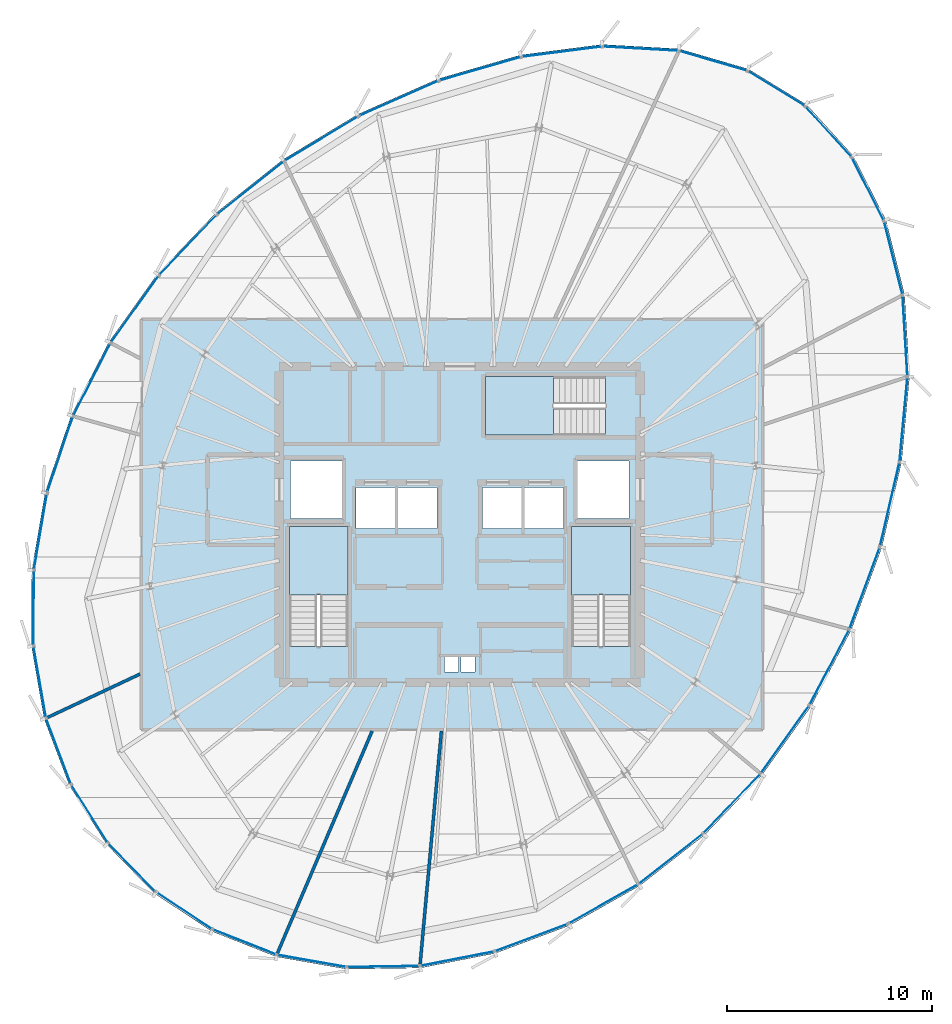
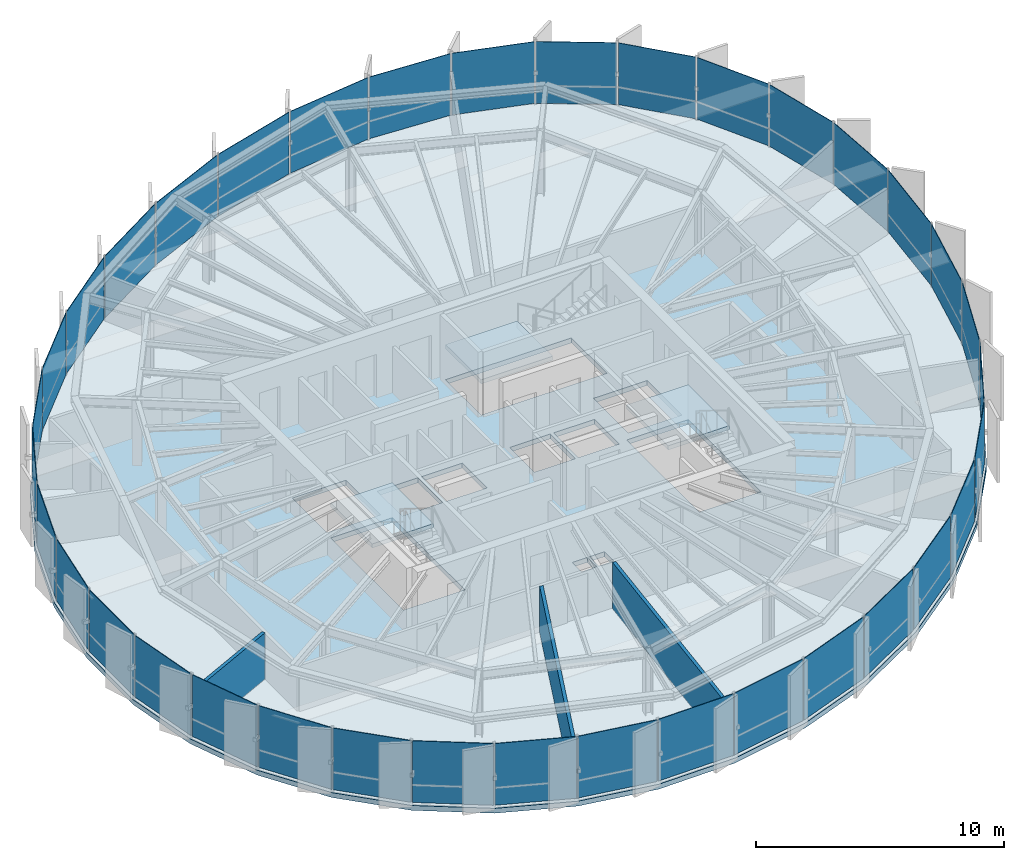
# One storey, part 26 of 33: 36 plates, 4 slabs, 3 walls, 9 elements without a shape of their own.
"""IFC4 building model written with IfcOpenShell, lengths in metres."""

from ifc_helpers import new_model, si_unit, direction, frame, frame_2d, origin, origin_2d, place, context, subcontext, project, spatial, polyline, rectangle, outline, extrude, source, transform, mapped, material, layer, layer_set, type_object, element, aggregate, save


model = new_model("IFC4")

# Units and contexts
model_context = context("Model", 3, precision=1e-05, world=origin(), true_north=direction((0.0, 1.0)))
body_context = subcontext(model_context, "Body", "Model", "MODEL_VIEW")
ifc_project = project(units=[si_unit("LENGTHUNIT", "METRE"), si_unit("AREAUNIT", "SQUARE_METRE"), si_unit("VOLUMEUNIT", "CUBIC_METRE"), si_unit("PLANEANGLEUNIT", "RADIAN"), si_unit("MASSUNIT", "GRAM", prefix="KILO"), si_unit("THERMODYNAMICTEMPERATUREUNIT", "KELVIN")], contexts=[model_context])

# Site, building, storey
site_placement = place(None, origin())
site = spatial("IfcSite", under=ifc_project, at=site_placement, CompositionType="ELEMENT")
building_placement = place(site_placement, origin())
building = spatial("IfcBuilding", under=site, at=building_placement, Name="Kethvar Cultural Tower", CompositionType="ELEMENT")
storey_placement = place(building_placement, frame((0.0, 0.0, 238.75)))
storey = spatial("IfcBuildingStorey", under=building, at=storey_placement, Name="L62", CompositionType="ELEMENT", Elevation=238.75)

# Stair, slab
ifc_material_1 = material(Name="Concrete C40/50", Category="concrete")
stair_type = type_object("IfcStairType", Name="ST-DOGLEG-135", PredefinedType="HALF_TURN_STAIR", material=ifc_material_1)
stair_1_placement = place(storey_placement, origin())
stair_1 = element("IfcStair", 1, at=stair_1_placement, inside=storey, type_object=stair_type, Name="L62 Core Exit Stair 1", PredefinedType="HALF_TURN_STAIR")
ifc_layer_1 = layer(ifc_material_1, 0.199951171875, Name="Concrete C40/50", Category="concrete")
ifc_layer_set_1 = layer_set([ifc_layer_1], Name="Concrete C40/50 (200 mm)")
slab_type_1 = type_object("IfcSlabType", Name="SL-STAIR-LANDING-200", PredefinedType="LANDING", material=ifc_layer_set_1)
slab_1_placement = place(storey_placement, frame((0.0, 0.0, 1.52490234375)))
slab_1 = element("IfcSlab", 2, at=slab_1_placement, type_object=slab_type_1, Name="ST-01 landing 1", PredefinedType="LANDING", context=body_context, shape_type="SweptSolid", body=[
    extrude(outline(polyline([(41.35009765625, 24.3701171875), (41.35009765625, 27.699951171875), (38.489990234375, 27.699951171875), (38.489990234375, 24.3701171875), (41.35009765625, 24.3701171875)])), origin(), (0.0, 0.0, 1.0), 0.2001953125),
])
aggregate(stair_1, [slab_1])

stair_2_placement = place(storey_placement, origin())
stair_2 = element("IfcStair", 3, at=stair_2_placement, inside=storey, type_object=stair_type, Name="L62 Core Exit Stair 2", PredefinedType="HALF_TURN_STAIR")
slab_2_placement = place(storey_placement, frame((0.0, 0.0, 1.52490234375)))
slab_2 = element("IfcSlab", 4, at=slab_2_placement, type_object=slab_type_1, Name="ST-02 landing 1", PredefinedType="LANDING", context=body_context, shape_type="SweptSolid", body=[
    extrude(outline(polyline([(55.110107421875, 24.3701171875), (55.110107421875, 27.699951171875), (52.25, 27.699951171875), (52.25, 24.3701171875), (55.110107421875, 24.3701171875)])), origin(), (0.0, 0.0, 1.0), 0.2001953125),
])
aggregate(stair_2, [slab_2])

stair_3_placement = place(storey_placement, origin())
stair_3 = element("IfcStair", 5, at=stair_3_placement, inside=storey, type_object=stair_type, Name="L62 Core Exit Stair 3", PredefinedType="HALF_TURN_STAIR")
slab_3_placement = place(storey_placement, frame((0.0, 0.0, 1.52490234375)))
slab_3 = element("IfcSlab", 6, at=slab_3_placement, type_object=slab_type_1, Name="ST-03 landing 1", PredefinedType="LANDING", context=body_context, shape_type="SweptSolid", body=[
    extrude(outline(polyline([(51.3798828125, 35.010009765625), (48.050048828125, 35.010009765625), (48.050048828125, 32.14990234375), (51.3798828125, 32.14990234375), (51.3798828125, 35.010009765625)])), origin(), (0.0, 0.0, 1.0), 0.2001953125),
])
aggregate(stair_3, [slab_3])

# Slab
ifc_layer_2 = layer(ifc_material_1, 0.239990234375, Name="Concrete C40/50", Category="concrete")
ifc_layer_set_2 = layer_set([ifc_layer_2], Name="Concrete C40/50 (240 mm)")
slab_type_2 = type_object("IfcSlabType", Name="SL-TOW-240", PredefinedType="FLOOR", material=ifc_layer_set_2)
slab_4_placement = place(storey_placement, frame((0.0, 0.0, -0.239990234375)))
element("IfcSlab", 7, at=slab_4_placement, inside=storey, type_object=slab_type_2, Name="L62 Structural Floor Slab", PredefinedType="FLOOR", context=body_context, shape_type="SweptSolid", body=[
    extrude(outline(polyline([(63.718994140625, 48.251708984375), (60.856201171875, 50.00390625), (57.485107421875, 50.983642578125), (53.7373046875, 51.196044921875), (49.768310546875, 50.68505859375), (45.7451171875, 49.52197265625), (41.831298828125, 47.79248046875), (38.17333984375, 45.582275390625), (34.888916015625, 42.966552734375), (32.055419921875, 39.997802734375), (29.69580078125, 36.689208984375), (27.855712890625, 33.110595703125), (26.59130859375, 29.37060546875), (25.94091796875, 25.582763671875), (25.92431640625, 21.8623046875), (26.5419921875, 18.322509765625), (27.775146484375, 15.070556640625), (29.58642578125, 12.205322265625), (31.920654296875, 9.81396484375), (34.70703125, 7.968994140625), (37.86083984375, 6.726806640625), (41.286376953125, 6.124755859375), (44.87939453125, 6.181396484375), (48.53076171875, 6.89501953125), (52.12939453125, 8.243408203125), (55.566162109375, 10.186279296875), (58.73681640625, 12.664306640625), (61.54443359375, 15.602294921875), (63.929931640625, 18.94189453125), (65.8837890625, 22.658203125), (67.369384765625, 26.665283203125), (68.334716796875, 30.833984375), (68.723388671875, 35.00390625), (68.481689453125, 38.998291015625), (67.57080078125, 42.639892578125), (65.976806640625, 45.767578125), (63.718994140625, 48.251708984375)]), holes=[polyline([(38.489990234375, 21.85009765625), (38.489990234375, 27.699951171875), (41.35009765625, 27.699951171875), (41.35009765625, 21.85009765625), (38.489990234375, 21.85009765625)]), polyline([(52.25, 21.85009765625), (52.25, 27.699951171875), (55.110107421875, 27.699951171875), (55.110107421875, 21.85009765625), (52.25, 21.85009765625)]), polyline([(53.89990234375, 32.14990234375), (48.050048828125, 32.14990234375), (48.050048828125, 35.010009765625), (53.89990234375, 35.010009765625), (53.89990234375, 32.14990234375)]), polyline([(41.75, 29.60009765625), (43.64990234375, 29.60009765625), (43.64990234375, 27.60009765625), (41.75, 27.60009765625), (41.75, 29.60009765625)]), polyline([(43.800048828125, 29.60009765625), (45.699951171875, 29.60009765625), (45.699951171875, 27.60009765625), (43.800048828125, 27.60009765625), (43.800048828125, 29.60009765625)]), polyline([(47.89990234375, 29.60009765625), (49.800048828125, 29.60009765625), (49.800048828125, 27.60009765625), (47.89990234375, 27.60009765625), (47.89990234375, 29.60009765625)]), polyline([(49.949951171875, 29.60009765625), (51.85009765625, 29.60009765625), (51.85009765625, 27.60009765625), (49.949951171875, 27.60009765625), (49.949951171875, 29.60009765625)]), polyline([(38.550048828125, 30.89990234375), (41.050048828125, 30.89990234375), (41.050048828125, 28.10009765625), (38.550048828125, 28.10009765625), (38.550048828125, 30.89990234375)]), polyline([(52.550048828125, 30.89990234375), (55.050048828125, 30.89990234375), (55.050048828125, 28.10009765625), (52.550048828125, 28.10009765625), (52.550048828125, 30.89990234375)]), polyline([(46.050048828125, 21.35009765625), (46.75, 21.35009765625), (46.75, 20.60009765625), (46.050048828125, 20.60009765625), (46.050048828125, 21.35009765625)]), polyline([(46.85009765625, 21.35009765625), (47.550048828125, 21.35009765625), (47.550048828125, 20.60009765625), (46.85009765625, 20.60009765625), (46.85009765625, 21.35009765625)])]), origin(), (0.0, 0.0, 1.0), 0.239990234375),
])

# Curtain wall, plates
ifc_material_2 = material(Name="Aluminium 6063-T6", Category="aluminium")
ifc_layer_3 = layer(ifc_material_2, 0.179931640625, Name="Aluminium 6063-T6", Category="aluminium")
ifc_layer_set_3 = layer_set([ifc_layer_3], Name="Aluminium 6063-T6 (180 mm)")
curtain_wall_type = type_object("IfcCurtainWallType", Name="CW-SYS-05-Z56", PredefinedType="NOTDEFINED", material=ifc_layer_set_3)
curtain_wall_1_placement = place(storey_placement, origin())
curtain_wall_1 = element("IfcCurtainWall", 8, at=curtain_wall_1_placement, inside=storey, type_object=curtain_wall_type, Name="L62 Curtain Wall Run 01", PredefinedType="NOTDEFINED")
ifc_material_3 = material(Name="Insulated Low-E Solar Glass", Category="glass")
ifc_layer_4 = layer(ifc_material_3, 0.028076171875, Name="Insulated Low-E Solar Glass", Category="glass")
ifc_layer_set_4 = layer_set([ifc_layer_4], Name="Insulated Low-E Solar Glass (28 mm)")
plate_type = type_object("IfcPlateType", Name="CW-SYS-05-Z56-PNL", PredefinedType="CURTAIN_PANEL", material=ifc_layer_set_4)
shared_shape_1 = source(origin(), body_context, "Body", "SweptSolid", [
    extrude(rectangle(XDim=3.27734375, YDim=0.028076171875, at=origin_2d()), origin(), (0.0, 0.0, 1.0), 3.030029296875),
])
plate_1_placement = place(storey_placement, frame((62.2353515625, 49.04248046875, 0.08984375), z_axis=(0.0, 0.0, 1.0), x_axis=(-0.85292273847, 0.522037165537, 0.0)))
plate_1 = element("IfcPlate", 9, at=plate_1_placement, type_object=plate_type, Name="CW-L62-R01 Vision Glazing Panel 1", PredefinedType="CURTAIN_PANEL", context=body_context, shape_type="MappedRepresentation", body=[
    mapped(shared_shape_1, transform((0.0, 0.0, 0.0), scale=1.0)),
])
shared_shape_2 = source(origin(), body_context, "Body", "SweptSolid", [
    extrude(rectangle(XDim=3.431396484375, YDim=0.028076171875, at=origin_2d()), origin(), (0.0, 0.0, 1.0), 3.030029296875),
])
plate_2_placement = place(storey_placement, frame((59.142578125, 50.397705078125, 0.08984375), z_axis=(0.0, 0.0, 1.0), x_axis=(-0.960259593317, 0.279108425963, 0.0)))
plate_2 = element("IfcPlate", 10, at=plate_2_placement, type_object=plate_type, Name="CW-L62-R01 Vision Glazing Panel 2", PredefinedType="CURTAIN_PANEL", context=body_context, shape_type="MappedRepresentation", body=[
    mapped(shared_shape_2, transform((0.0, 0.0, 0.0), scale=1.0)),
])

# Curtain wall, plate
curtain_wall_2_placement = place(storey_placement, origin())
curtain_wall_2 = element("IfcCurtainWall", 11, at=curtain_wall_2_placement, inside=storey, type_object=curtain_wall_type, Name="L62 Curtain Wall Run 06", PredefinedType="NOTDEFINED")
plate_3_placement = place(storey_placement, frame((66.684814453125, 44.158447265625, 0.08984375), z_axis=(0.0, 0.0, 1.0), x_axis=(-0.454099353334, 0.890951052136, 0.0)))
plate_3 = element("IfcPlate", 12, at=plate_3_placement, type_object=plate_type, Name="CW-L62-R06 Vision Glazing Panel 5", PredefinedType="CURTAIN_PANEL", context=body_context, shape_type="MappedRepresentation", body=[
    mapped(shared_shape_2, transform((0.0, 0.0, 0.0), scale=1.0)),
])

# Plate
shared_shape_3 = source(origin(), body_context, "Body", "SweptSolid", [
    extrude(rectangle(XDim=3.674560546875, YDim=0.028076171875, at=origin_2d()), origin(), (0.0, 0.0, 1.0), 3.030029296875),
])
plate_4_placement = place(storey_placement, frame((55.605712890625, 50.989990234375, 0.08984375), z_axis=(0.0, 0.0, 1.0), x_axis=(-0.998397601938, 0.056588235921, 0.0)))
plate_4 = element("IfcPlate", 13, at=plate_4_placement, type_object=plate_type, Name="CW-L62-R01 Vision Glazing Panel 3", PredefinedType="CURTAIN_PANEL", context=body_context, shape_type="MappedRepresentation", body=[
    mapped(shared_shape_3, transform((0.0, 0.0, 0.0), scale=1.0)),
])

plate_5_placement = place(storey_placement, frame((67.92919921875, 40.794921875, 0.08984375), z_axis=(0.0, 0.0, 1.0), x_axis=(-0.242666957817, 0.970109657505, 0.0)))
plate_5 = element("IfcPlate", 14, at=plate_5_placement, type_object=plate_type, Name="CW-L62-R06 Vision Glazing Panel 4", PredefinedType="CURTAIN_PANEL", context=body_context, shape_type="MappedRepresentation", body=[
    mapped(shared_shape_3, transform((0.0, 0.0, 0.0), scale=1.0)),
])

shared_shape_4 = source(origin(), body_context, "Body", "SweptSolid", [
    extrude(rectangle(XDim=3.922607421875, YDim=0.028076171875, at=origin_2d()), origin(), (0.0, 0.0, 1.0), 3.030029296875),
])
plate_6_placement = place(storey_placement, frame((51.765625, 50.84130859375, 0.08984375), z_axis=(0.0, 0.0, 1.0), x_axis=(-0.991809952005, -0.127722429914, 0.0)))
plate_6 = element("IfcPlate", 15, at=plate_6_placement, type_object=plate_type, Name="CW-L62-R01 Vision Glazing Panel 4", PredefinedType="CURTAIN_PANEL", context=body_context, shape_type="MappedRepresentation", body=[
    mapped(shared_shape_4, transform((0.0, 0.0, 0.0), scale=1.0)),
])

plate_7_placement = place(storey_placement, frame((68.502685546875, 36.9951171875, 0.08984375), z_axis=(0.0, 0.0, 1.0), x_axis=(-0.060369116639, 0.998176121612, 0.0)))
plate_7 = element("IfcPlate", 16, at=plate_7_placement, type_object=plate_type, Name="CW-L62-R06 Vision Glazing Panel 3", PredefinedType="CURTAIN_PANEL", context=body_context, shape_type="MappedRepresentation", body=[
    mapped(shared_shape_4, transform((0.0, 0.0, 0.0), scale=1.0)),
])

shared_shape_5 = source(origin(), body_context, "Body", "SweptSolid", [
    extrude(rectangle(XDim=4.10888671875, YDim=0.028076171875, at=origin_2d()), origin(), (0.0, 0.0, 1.0), 3.030029296875),
])
plate_8_placement = place(storey_placement, frame((47.784423828125, 50.00732421875, 0.08984375), z_axis=(0.0, 0.0, 1.0), x_axis=(-0.960662908582, -0.277717079193, 0.0)))
plate_8 = element("IfcPlate", 17, at=plate_8_placement, type_object=plate_type, Name="CW-L62-R01 Vision Glazing Panel 5", PredefinedType="CURTAIN_PANEL", context=body_context, shape_type="MappedRepresentation", body=[
    mapped(shared_shape_5, transform((0.0, 0.0, 0.0), scale=1.0)),
])

shared_shape_6 = source(origin(), body_context, "Body", "SweptSolid", [
    extrude(rectangle(XDim=4.19970703125, YDim=0.028076171875, at=origin_2d()), origin(), (0.0, 0.0, 1.0), 3.030029296875),
])
plate_9_placement = place(storey_placement, frame((43.82861328125, 48.565673828125, 0.08984375), z_axis=(0.0, 0.0, 1.0), x_axis=(-0.914670662658, -0.404199924384, 0.0)))
plate_9 = element("IfcPlate", 18, at=plate_9_placement, type_object=plate_type, Name="CW-L62-R01 Vision Glazing Panel 6", PredefinedType="CURTAIN_PANEL", context=body_context, shape_type="MappedRepresentation", body=[
    mapped(shared_shape_6, transform((0.0, 0.0, 0.0), scale=1.0)),
])

aggregate(curtain_wall_1, [plate_1, plate_2, plate_4, plate_6, plate_8, plate_9])

plate_10_placement = place(storey_placement, frame((67.754638671875, 28.772216796875, 0.08984375), z_axis=(0.0, 0.0, 1.0), x_axis=(0.2256312381, 0.974212781888, 0.0)))
plate_10 = element("IfcPlate", 19, at=plate_10_placement, type_object=plate_type, Name="CW-L62-R06 Vision Glazing Panel 1", PredefinedType="CURTAIN_PANEL", context=body_context, shape_type="MappedRepresentation", body=[
    mapped(shared_shape_6, transform((0.0, 0.0, 0.0), scale=1.0)),
])

# Curtain wall, plate
curtain_wall_3_placement = place(storey_placement, origin())
curtain_wall_3 = element("IfcCurtainWall", 20, at=curtain_wall_3_placement, inside=storey, type_object=curtain_wall_type, Name="L62 Curtain Wall Run 02", PredefinedType="NOTDEFINED")
shared_shape_7 = source(origin(), body_context, "Body", "SweptSolid", [
    extrude(rectangle(XDim=4.194580078125, YDim=0.028076171875, at=origin_2d()), origin(), (0.0, 0.0, 1.0), 3.030029296875),
])
plate_11_placement = place(storey_placement, frame((40.053955078125, 46.601806640625, 0.08984375), z_axis=(0.0, 0.0, 1.0), x_axis=(-0.855906267671, -0.517130990138, 0.0)))
plate_11 = element("IfcPlate", 21, at=plate_11_placement, type_object=plate_type, Name="CW-L62-R02 Vision Glazing Panel 1", PredefinedType="CURTAIN_PANEL", context=body_context, shape_type="MappedRepresentation", body=[
    mapped(shared_shape_7, transform((0.0, 0.0, 0.0), scale=1.0)),
])

curtain_wall_4_placement = place(storey_placement, origin())
curtain_wall_4 = element("IfcCurtainWall", 22, at=curtain_wall_4_placement, inside=storey, type_object=curtain_wall_type, Name="L62 Curtain Wall Run 05", PredefinedType="NOTDEFINED")
plate_12_placement = place(storey_placement, frame((66.53271484375, 24.696533203125, 0.08984375), z_axis=(0.0, 0.0, 1.0), x_axis=(0.347590336971, 0.937646499297, 0.0)))
plate_12 = element("IfcPlate", 23, at=plate_12_placement, type_object=plate_type, Name="CW-L62-R05 Vision Glazing Panel 6", PredefinedType="CURTAIN_PANEL", context=body_context, shape_type="MappedRepresentation", body=[
    mapped(shared_shape_7, transform((0.0, 0.0, 0.0), scale=1.0)),
])

# Plate
shared_shape_8 = source(origin(), body_context, "Body", "SweptSolid", [
    extrude(rectangle(XDim=4.119384765625, YDim=0.028076171875, at=origin_2d()), origin(), (0.0, 0.0, 1.0), 3.030029296875),
])
plate_13_placement = place(storey_placement, frame((36.593505859375, 44.1962890625, 0.08984375), z_axis=(0.0, 0.0, 1.0), x_axis=(-0.782238611459, -0.622978936034, 0.0)))
plate_13 = element("IfcPlate", 24, at=plate_13_placement, type_object=plate_type, Name="CW-L62-R02 Vision Glazing Panel 2", PredefinedType="CURTAIN_PANEL", context=body_context, shape_type="MappedRepresentation", body=[
    mapped(shared_shape_8, transform((0.0, 0.0, 0.0), scale=1.0)),
])

shared_shape_9 = source(origin(), body_context, "Body", "SweptSolid", [
    extrude(rectangle(XDim=4.024658203125, YDim=0.028076171875, at=origin_2d()), origin(), (0.0, 0.0, 1.0), 3.030029296875),
])
plate_14_placement = place(storey_placement, frame((33.544677734375, 41.4130859375, 0.08984375), z_axis=(0.0, 0.0, 1.0), x_axis=(-0.690402769195, -0.723425197438, 0.0)))
plate_14 = element("IfcPlate", 25, at=plate_14_placement, type_object=plate_type, Name="CW-L62-R02 Vision Glazing Panel 3", PredefinedType="CURTAIN_PANEL", context=body_context, shape_type="MappedRepresentation", body=[
    mapped(shared_shape_9, transform((0.0, 0.0, 0.0), scale=1.0)),
])

shared_shape_10 = source(origin(), body_context, "Body", "SweptSolid", [
    extrude(rectangle(XDim=3.984619140625, YDim=0.028076171875, at=origin_2d()), origin(), (0.0, 0.0, 1.0), 3.030029296875),
])
plate_15_placement = place(storey_placement, frame((30.95703125, 38.285400390625, 0.08984375), z_axis=(0.0, 0.0, 1.0), x_axis=(-0.580660327926, -0.814145922776, 0.0)))
plate_15 = element("IfcPlate", 26, at=plate_15_placement, type_object=plate_type, Name="CW-L62-R02 Vision Glazing Panel 4", PredefinedType="CURTAIN_PANEL", context=body_context, shape_type="MappedRepresentation", body=[
    mapped(shared_shape_10, transform((0.0, 0.0, 0.0), scale=1.0)),
])

plate_16_placement = place(storey_placement, frame((60.068359375, 14.202392578125, 0.08984375), z_axis=(0.0, 0.0, 1.0), x_axis=(0.690920264601, 0.7229309704, 0.0)))
plate_16 = element("IfcPlate", 27, at=plate_16_placement, type_object=plate_type, Name="CW-L62-R05 Vision Glazing Panel 3", PredefinedType="CURTAIN_PANEL", context=body_context, shape_type="MappedRepresentation", body=[
    mapped(shared_shape_10, transform((0.0, 0.0, 0.0), scale=1.0)),
])

shared_shape_11 = source(origin(), body_context, "Body", "SweptSolid", [
    extrude(rectangle(XDim=3.94482421875, YDim=0.028076171875, at=origin_2d()), origin(), (0.0, 0.0, 1.0), 3.030029296875),
])
plate_17_placement = place(storey_placement, frame((28.86474609375, 34.85400390625, 0.08984375), z_axis=(0.0, 0.0, 1.0), x_axis=(-0.457284195962, -0.889320619419, 0.0)))
plate_17 = element("IfcPlate", 28, at=plate_17_placement, type_object=plate_type, Name="CW-L62-R02 Vision Glazing Panel 5", PredefinedType="CURTAIN_PANEL", context=body_context, shape_type="MappedRepresentation", body=[
    mapped(shared_shape_11, transform((0.0, 0.0, 0.0), scale=1.0)),
])

plate_18_placement = place(storey_placement, frame((57.08984375, 11.504150390625, 0.08984375), z_axis=(0.0, 0.0, 1.0), x_axis=(0.787903288407, 0.61579899977, 0.0)))
plate_18 = element("IfcPlate", 29, at=plate_18_placement, type_object=plate_type, Name="CW-L62-R05 Vision Glazing Panel 2", PredefinedType="CURTAIN_PANEL", context=body_context, shape_type="MappedRepresentation", body=[
    mapped(shared_shape_11, transform((0.0, 0.0, 0.0), scale=1.0)),
])

shared_shape_12 = source(origin(), body_context, "Body", "SweptSolid", [
    extrude(rectangle(XDim=3.868896484375, YDim=0.028076171875, at=origin_2d()), origin(), (0.0, 0.0, 1.0), 3.030029296875),
])
plate_19_placement = place(storey_placement, frame((27.318115234375, 31.20849609375, 0.08984375), z_axis=(0.0, 0.0, 1.0), x_axis=(-0.320265798359, -0.94732772492, 0.0)))
plate_19 = element("IfcPlate", 30, at=plate_19_placement, type_object=plate_type, Name="CW-L62-R02 Vision Glazing Panel 6", PredefinedType="CURTAIN_PANEL", context=body_context, shape_type="MappedRepresentation", body=[
    mapped(shared_shape_12, transform((0.0, 0.0, 0.0), scale=1.0)),
])

aggregate(curtain_wall_3, [plate_11, plate_13, plate_14, plate_15, plate_17, plate_19])

plate_20_placement = place(storey_placement, frame((53.798583984375, 9.302001953125, 0.08984375), z_axis=(0.0, 0.0, 1.0), x_axis=(0.87052753116, 0.492119718658, 0.0)))
plate_20 = element("IfcPlate", 31, at=plate_20_placement, type_object=plate_type, Name="CW-L62-R05 Vision Glazing Panel 1", PredefinedType="CURTAIN_PANEL", context=body_context, shape_type="MappedRepresentation", body=[
    mapped(shared_shape_12, transform((0.0, 0.0, 0.0), scale=1.0)),
])

# Curtain wall, plate
curtain_wall_5_placement = place(storey_placement, origin())
curtain_wall_5 = element("IfcCurtainWall", 32, at=curtain_wall_5_placement, inside=storey, type_object=curtain_wall_type, Name="L62 Curtain Wall Run 03", PredefinedType="NOTDEFINED")
shared_shape_13 = source(origin(), body_context, "Body", "SweptSolid", [
    extrude(rectangle(XDim=3.763916015625, YDim=0.028076171875, at=origin_2d()), origin(), (0.0, 0.0, 1.0), 3.030029296875),
])
plate_21_placement = place(storey_placement, frame((26.364501953125, 27.459716796875, 0.08984375), z_axis=(0.0, 0.0, 1.0), x_axis=(-0.169263497213, -0.985570833837, 0.0)))
plate_21 = element("IfcPlate", 33, at=plate_21_placement, type_object=plate_type, Name="CW-L62-R03 Vision Glazing Panel 1", PredefinedType="CURTAIN_PANEL", context=body_context, shape_type="MappedRepresentation", body=[
    mapped(shared_shape_13, transform((0.0, 0.0, 0.0), scale=1.0)),
])

curtain_wall_6_placement = place(storey_placement, origin())
curtain_wall_6 = element("IfcCurtainWall", 34, at=curtain_wall_6_placement, inside=storey, type_object=curtain_wall_type, Name="L62 Curtain Wall Run 04", PredefinedType="NOTDEFINED")
plate_22_placement = place(storey_placement, frame((50.294921875, 7.662841796875, 0.08984375), z_axis=(0.0, 0.0, 1.0), x_axis=(0.936409097798, 0.350910247158, 0.0)))
plate_22 = element("IfcPlate", 35, at=plate_22_placement, type_object=plate_type, Name="CW-L62-R04 Vision Glazing Panel 6", PredefinedType="CURTAIN_PANEL", context=body_context, shape_type="MappedRepresentation", body=[
    mapped(shared_shape_13, transform((0.0, 0.0, 0.0), scale=1.0)),
])

# Plate
shared_shape_14 = source(origin(), body_context, "Body", "SweptSolid", [
    extrude(rectangle(XDim=3.64111328125, YDim=0.028076171875, at=origin_2d()), origin(), (0.0, 0.0, 1.0), 3.030029296875),
])
plate_23_placement = place(storey_placement, frame((26.032470703125, 23.72216796875, 0.08984375), z_axis=(0.0, 0.0, 1.0), x_axis=(-0.004468028019, -0.999990018313, 0.0)))
plate_23 = element("IfcPlate", 36, at=plate_23_placement, type_object=plate_type, Name="CW-L62-R03 Vision Glazing Panel 2", PredefinedType="CURTAIN_PANEL", context=body_context, shape_type="MappedRepresentation", body=[
    mapped(shared_shape_14, transform((0.0, 0.0, 0.0), scale=1.0)),
])

shared_shape_15 = source(origin(), body_context, "Body", "SweptSolid", [
    extrude(rectangle(XDim=3.51416015625, YDim=0.028076171875, at=origin_2d()), origin(), (0.0, 0.0, 1.0), 3.030029296875),
])
plate_24_placement = place(storey_placement, frame((26.33154296875, 20.109619140625, 0.08984375), z_axis=(0.0, 0.0, 1.0), x_axis=(0.171894713372, -0.985115327012, 0.0)))
plate_24 = element("IfcPlate", 37, at=plate_24_placement, type_object=plate_type, Name="CW-L62-R03 Vision Glazing Panel 3", PredefinedType="CURTAIN_PANEL", context=body_context, shape_type="MappedRepresentation", body=[
    mapped(shared_shape_15, transform((0.0, 0.0, 0.0), scale=1.0)),
])

plate_25_placement = place(storey_placement, frame((43.081298828125, 6.253173828125, 0.08984375), z_axis=(0.0, 0.0, 1.0), x_axis=(0.999875808678, 0.015759670708, 0.0)))
plate_25 = element("IfcPlate", 38, at=plate_25_placement, type_object=plate_type, Name="CW-L62-R04 Vision Glazing Panel 4", PredefinedType="CURTAIN_PANEL", context=body_context, shape_type="MappedRepresentation", body=[
    mapped(shared_shape_15, transform((0.0, 0.0, 0.0), scale=1.0)),
])

shared_shape_16 = source(origin(), body_context, "Body", "SweptSolid", [
    extrude(rectangle(XDim=3.398681640625, YDim=0.028076171875, at=origin_2d()), origin(), (0.0, 0.0, 1.0), 3.030029296875),
])
plate_26_placement = place(storey_placement, frame((27.251953125, 16.73193359375, 0.08984375), z_axis=(0.0, 0.0, 1.0), x_axis=(0.354568482601, -0.935030048258, 0.0)))
plate_26 = element("IfcPlate", 39, at=plate_26_placement, type_object=plate_type, Name="CW-L62-R03 Vision Glazing Panel 4", PredefinedType="CURTAIN_PANEL", context=body_context, shape_type="MappedRepresentation", body=[
    mapped(shared_shape_16, transform((0.0, 0.0, 0.0), scale=1.0)),
])

plate_27_placement = place(storey_placement, frame((39.5908203125, 6.5244140625, 0.08984375), z_axis=(0.0, 0.0, 1.0), x_axis=(0.984907603833, -0.173080940349, 0.0)))
plate_27 = element("IfcPlate", 40, at=plate_27_placement, type_object=plate_type, Name="CW-L62-R04 Vision Glazing Panel 3", PredefinedType="CURTAIN_PANEL", context=body_context, shape_type="MappedRepresentation", body=[
    mapped(shared_shape_16, transform((0.0, 0.0, 0.0), scale=1.0)),
])

shared_shape_17 = source(origin(), body_context, "Body", "SweptSolid", [
    extrude(rectangle(XDim=3.310546875, YDim=0.028076171875, at=origin_2d()), origin(), (0.0, 0.0, 1.0), 3.030029296875),
])
plate_28_placement = place(storey_placement, frame((28.765380859375, 13.69140625, 0.08984375), z_axis=(0.0, 0.0, 1.0), x_axis=(0.53436710191, -0.845252506885, 0.0)))
plate_28 = element("IfcPlate", 41, at=plate_28_placement, type_object=plate_type, Name="CW-L62-R03 Vision Glazing Panel 5", PredefinedType="CURTAIN_PANEL", context=body_context, shape_type="MappedRepresentation", body=[
    mapped(shared_shape_17, transform((0.0, 0.0, 0.0), scale=1.0)),
])

shared_shape_18 = source(origin(), body_context, "Body", "SweptSolid", [
    extrude(rectangle(XDim=3.2626953125, YDim=0.028076171875, at=origin_2d()), origin(), (0.0, 0.0, 1.0), 3.030029296875),
])
plate_29_placement = place(storey_placement, frame((30.8251953125, 11.07958984375, 0.08984375), z_axis=(0.0, 0.0, 1.0), x_axis=(0.69851520818, -0.715595209557, 0.0)))
plate_29 = element("IfcPlate", 42, at=plate_29_placement, type_object=plate_type, Name="CW-L62-R03 Vision Glazing Panel 6", PredefinedType="CURTAIN_PANEL", context=body_context, shape_type="MappedRepresentation", body=[
    mapped(shared_shape_18, transform((0.0, 0.0, 0.0), scale=1.0)),
])

aggregate(curtain_wall_5, [plate_21, plate_23, plate_24, plate_26, plate_28, plate_29])

plate_30_placement = place(storey_placement, frame((33.369140625, 8.974853515625, 0.08984375), z_axis=(0.0, 0.0, 1.0), x_axis=(0.833799113721, -0.552067964981, 0.0)))
plate_30 = element("IfcPlate", 43, at=plate_30_placement, type_object=plate_type, Name="CW-L62-R04 Vision Glazing Panel 1", PredefinedType="CURTAIN_PANEL", context=body_context, shape_type="MappedRepresentation", body=[
    mapped(shared_shape_18, transform((0.0, 0.0, 0.0), scale=1.0)),
])

shared_shape_19 = source(origin(), body_context, "Body", "SweptSolid", [
    extrude(rectangle(XDim=3.310302734375, YDim=0.028076171875, at=origin_2d()), origin(), (0.0, 0.0, 1.0), 3.030029296875),
])
plate_31_placement = place(storey_placement, frame((36.32080078125, 7.44091796875, 0.08984375), z_axis=(0.0, 0.0, 1.0), x_axis=(0.930417567982, -0.366501226724, 0.0)))
plate_31 = element("IfcPlate", 44, at=plate_31_placement, type_object=plate_type, Name="CW-L62-R04 Vision Glazing Panel 2", PredefinedType="CURTAIN_PANEL", context=body_context, shape_type="MappedRepresentation", body=[
    mapped(shared_shape_19, transform((0.0, 0.0, 0.0), scale=1.0)),
])

shared_shape_20 = source(origin(), body_context, "Body", "SweptSolid", [
    extrude(rectangle(XDim=3.641357421875, YDim=0.028076171875, at=origin_2d()), origin(), (0.0, 0.0, 1.0), 3.030029296875),
])
plate_32_placement = place(storey_placement, frame((46.685791015625, 6.63623046875, 0.08984375), z_axis=(0.0, 0.0, 1.0), x_axis=(0.981436873743, 0.191785460497, 0.0)))
plate_32 = element("IfcPlate", 45, at=plate_32_placement, type_object=plate_type, Name="CW-L62-R04 Vision Glazing Panel 5", PredefinedType="CURTAIN_PANEL", context=body_context, shape_type="MappedRepresentation", body=[
    mapped(shared_shape_20, transform((0.0, 0.0, 0.0), scale=1.0)),
])

aggregate(curtain_wall_6, [plate_30, plate_31, plate_27, plate_25, plate_32, plate_22])

shared_shape_21 = source(origin(), body_context, "Body", "SweptSolid", [
    extrude(rectangle(XDim=4.02490234375, YDim=0.028076171875, at=origin_2d()), origin(), (0.0, 0.0, 1.0), 3.030029296875),
])
plate_33_placement = place(storey_placement, frame((62.65576171875, 17.330078125, 0.08984375), z_axis=(0.0, 0.0, 1.0), x_axis=(0.581242769814, 0.813730202548, 0.0)))
plate_33 = element("IfcPlate", 46, at=plate_33_placement, type_object=plate_type, Name="CW-L62-R05 Vision Glazing Panel 4", PredefinedType="CURTAIN_PANEL", context=body_context, shape_type="MappedRepresentation", body=[
    mapped(shared_shape_21, transform((0.0, 0.0, 0.0), scale=1.0)),
])

shared_shape_22 = source(origin(), body_context, "Body", "SweptSolid", [
    extrude(rectangle(XDim=4.11962890625, YDim=0.028076171875, at=origin_2d()), origin(), (0.0, 0.0, 1.0), 3.030029296875),
])
plate_34_placement = place(storey_placement, frame((64.818359375, 20.8466796875, 0.08984375), z_axis=(0.0, 0.0, 1.0), x_axis=(0.465351918716, 0.885125749116, 0.0)))
plate_34 = element("IfcPlate", 47, at=plate_34_placement, type_object=plate_type, Name="CW-L62-R05 Vision Glazing Panel 5", PredefinedType="CURTAIN_PANEL", context=body_context, shape_type="MappedRepresentation", body=[
    mapped(shared_shape_22, transform((0.0, 0.0, 0.0), scale=1.0)),
])

aggregate(curtain_wall_4, [plate_20, plate_18, plate_16, plate_33, plate_34, plate_12])

shared_shape_23 = source(origin(), body_context, "Body", "SweptSolid", [
    extrude(rectangle(XDim=4.108642578125, YDim=0.028076171875, at=origin_2d()), origin(), (0.0, 0.0, 1.0), 3.030029296875),
])
plate_35_placement = place(storey_placement, frame((68.4296875, 32.92822265625, 0.08984375), z_axis=(0.0, 0.0, 1.0), x_axis=(0.092787667517, 0.99568591873, 0.0)))
plate_35 = element("IfcPlate", 48, at=plate_35_placement, type_object=plate_type, Name="CW-L62-R06 Vision Glazing Panel 2", PredefinedType="CURTAIN_PANEL", context=body_context, shape_type="MappedRepresentation", body=[
    mapped(shared_shape_23, transform((0.0, 0.0, 0.0), scale=1.0)),
])

shared_shape_24 = source(origin(), body_context, "Body", "SweptSolid", [
    extrude(rectangle(XDim=3.277587890625, YDim=0.028076171875, at=origin_2d()), origin(), (0.0, 0.0, 1.0), 3.030029296875),
])
plate_36_placement = place(storey_placement, frame((64.77392578125, 46.9423828125, 0.08984375), z_axis=(0.0, 0.0, 1.0), x_axis=(-0.672612236088, 0.739995121514, 0.0)))
plate_36 = element("IfcPlate", 49, at=plate_36_placement, type_object=plate_type, Name="CW-L62-R06 Vision Glazing Panel 6", PredefinedType="CURTAIN_PANEL", context=body_context, shape_type="MappedRepresentation", body=[
    mapped(shared_shape_24, transform((0.0, 0.0, 0.0), scale=1.0)),
])

aggregate(curtain_wall_2, [plate_10, plate_35, plate_7, plate_5, plate_3, plate_36])

# Walls
ifc_material_4 = material(Name="Gypsum Acoustic Partition")
ifc_layer_5 = layer(ifc_material_4, 0.14990234375, Name="Gypsum Acoustic Partition")
ifc_layer_set_5 = layer_set([ifc_layer_5], Name="Gypsum Acoustic Partition (150 mm)")
wall_type = type_object("IfcWallType", Name="WL-PART-150", PredefinedType="PARTITIONING", material=ifc_layer_set_5)
wall_1_placement = place(storey_placement, frame((31.217529296875, 20.509765625, 0.0), z_axis=(0.0, 0.0, 1.0), x_axis=(-0.905164470227, -0.425061503594, 0.0)))
element("IfcWall", 50, at=wall_1_placement, inside=storey, type_object=wall_type, Name="L62 Radial Partition Wall 01", PredefinedType="PARTITIONING", context=body_context, shape_type="SweptSolid", body=[
    extrude(rectangle(XDim=4.97216796875, YDim=0.14990234375, at=frame_2d((2.486083984375, 0.0))), origin(), (0.0, 0.0, 1.0), 2.280029296875),
])
wall_2_placement = place(storey_placement, frame((42.52978515625, 17.7333984375, 0.0), z_axis=(0.0, 0.0, 1.0), x_axis=(-0.392256151755, -0.919856027545, 0.0)))
element("IfcWall", 51, at=wall_2_placement, inside=storey, type_object=wall_type, Name="L62 Radial Partition Wall 02", PredefinedType="PARTITIONING", context=body_context, shape_type="SweptSolid", body=[
    extrude(rectangle(XDim=11.768310546875, YDim=0.14990234375, at=frame_2d((5.88427734375, 0.0))), origin(), (0.0, 0.0, 1.0), 2.280029296875),
])
wall_3_placement = place(storey_placement, frame((45.90478515625, 17.727294921875, 0.0), z_axis=(0.0, 0.0, 1.0), x_axis=(-0.090867706683, -0.995862972443, 0.0)))
element("IfcWall", 52, at=wall_3_placement, inside=storey, type_object=wall_type, Name="L62 Radial Partition Wall 03", PredefinedType="PARTITIONING", context=body_context, shape_type="SweptSolid", body=[
    extrude(rectangle(XDim=11.4052734375, YDim=0.14990234375, at=frame_2d((5.70263671875, 0.0))), origin(), (0.0, 0.0, 1.0), 2.280029296875),
])

save(model, "model.ifc")
